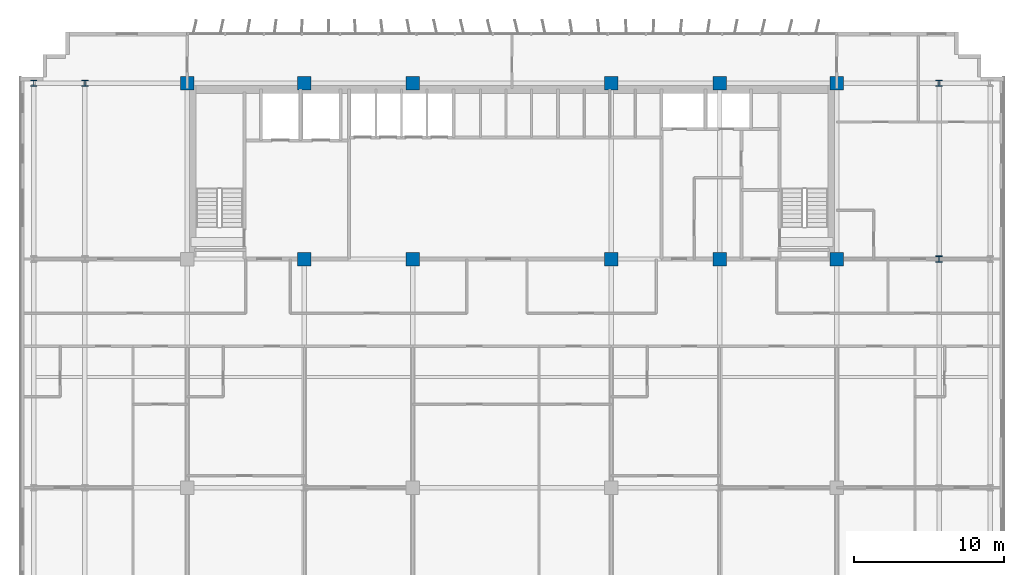
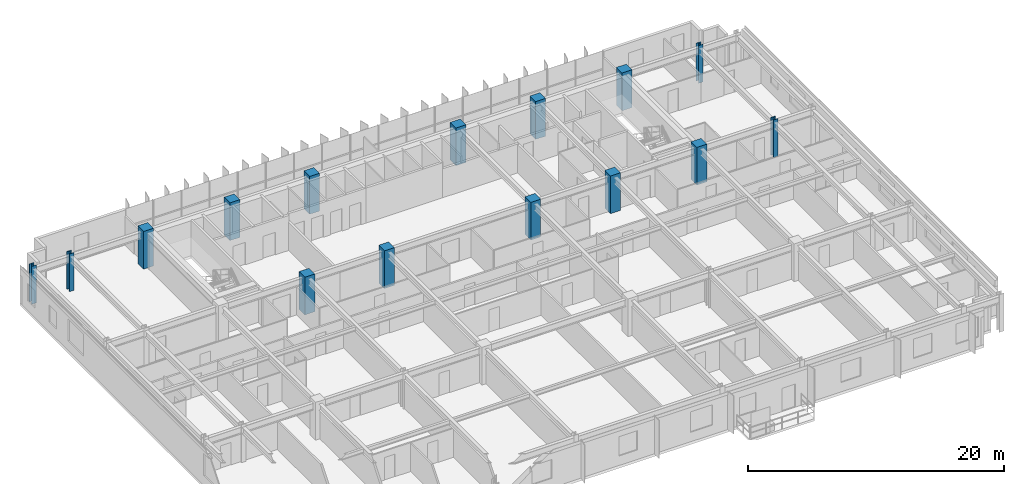
# One storey, part 2 of 22: 15 columns.
"""IFC4 building model written with IfcOpenShell, lengths in metres."""

from ifc_helpers import new_model, si_unit, direction, frame, origin, origin_2d, place, context, subcontext, project, spatial, rectangle, i_section, extrude, source, transform, mapped, material, material_profile, profile_set, type_object, element, save


model = new_model("IFC4")

# Units and contexts
model_context = context("Model", 3, precision=1e-05, world=origin(), true_north=direction((0.0, 1.0)))
body_context = subcontext(model_context, "Body", "Model", "MODEL_VIEW")
ifc_project = project(units=[si_unit("LENGTHUNIT", "METRE"), si_unit("AREAUNIT", "SQUARE_METRE"), si_unit("VOLUMEUNIT", "CUBIC_METRE"), si_unit("PLANEANGLEUNIT", "RADIAN"), si_unit("MASSUNIT", "GRAM", prefix="KILO")], contexts=[model_context])

# Site, building, storey
site_placement = place(None, origin())
site = spatial("IfcSite", under=ifc_project, at=site_placement, CompositionType="ELEMENT")
building_placement = place(site_placement, origin())
building = spatial("IfcBuilding", under=site, at=building_placement, Name="Trelvane Seafront Commons", CompositionType="ELEMENT")
storey_placement = place(building_placement, frame((0.0, 0.0, 52.300048828125)))
storey = spatial("IfcBuildingStorey", under=building, at=storey_placement, Name="L13", CompositionType="ELEMENT", Elevation=52.300048828125)

# Columns
ifc_material_1 = material(Name="Steel SM355 (S355)", Category="steel")
ifc_material_profile_1 = material_profile(ifc_material_1, i_section(OverallWidth=0.419921875, OverallDepth=0.419921875, WebThickness=0.02587890625, FlangeThickness=0.0400390625, at=origin_2d()), Name="HD-420x420x26x40")
ifc_profile_set_1 = profile_set([ifc_material_profile_1], Name="Steel SM355 (S355)")
column_type_1 = type_object("IfcColumnType", Name="STR-COL-HD420", PredefinedType="COLUMN", material=ifc_profile_set_1)
shared_shape_1 = source(origin(), body_context, "Body", "SweptSolid", [
    extrude(i_section(OverallWidth=0.419921875, OverallDepth=0.419921875, WebThickness=0.02587890625, FlangeThickness=0.0400390625, at=origin_2d()), origin(), (0.0, 0.0, 1.0), 3.599853515625),
])
for number, where, z_axis, x_axis, name in (
    (1, (5.39990234375, 45.10009765625, 0.0), (0.0, 0.0, 1.0), (1.0, 0.0, 0.0), "L13 Column TC-CN5.4"),
    (2, (8.800048828125, 45.10009765625, 0.0), (0.0, 0.0, 1.0), (1.0, 0.0, 0.0), "L13 Column TC-CN8.8"),
    (3, (65.60009765625, 33.39990234375, 0.0), (0.0, 0.0, 1.0), (1.0, 0.0, 0.0), "L13 Column TC-CS65.6"),
    (4, (65.60009765625, 45.10009765625, 0.0), (0.0, 0.0, 1.0), (1.0, 0.0, 0.0), "L13 Column TC-CN65.6"),
):
    element("IfcColumn", number, at=place(storey_placement, frame(where, z_axis=z_axis, x_axis=x_axis)), inside=storey, type_object=column_type_1, Name=name, PredefinedType="COLUMN", context=body_context, shape_type="MappedRepresentation", body=[
        mapped(shared_shape_1, transform((0.0, 0.0, 0.0), x_axis=(1.0, 0.0, 0.0), y_axis=(0.0, 1.0, 0.0), z_axis=(0.0, 0.0, 1.0), scale=1.0)),
    ])
ifc_material_2 = material(Name="Concrete C60/75", Category="concrete")
ifc_material_profile_2 = material_profile(ifc_material_2, rectangle(XDim=0.89990234375, YDim=0.89990234375, at=origin_2d()), Name="RC-900x900")
ifc_profile_set_2 = profile_set([ifc_material_profile_2], Name="Concrete C60/75")
column_type_2 = type_object("IfcColumnType", Name="STR-COL-RC900", PredefinedType="COLUMN", material=ifc_profile_set_2)
shared_shape_2 = source(origin(), body_context, "Body", "SweptSolid", [
    extrude(rectangle(XDim=0.89990234375, YDim=0.89990234375, at=origin_2d()), origin(), (0.0, 0.0, 1.0), 3.599853515625),
])
for number, where, z_axis, x_axis, name in (
    (5, (15.60009765625, 45.10009765625, 0.0), (0.0, 0.0, 1.0), (1.0, 0.0, 0.0), "L13 Column TC-CN15.6"),
    (6, (23.39990234375, 33.39990234375, 0.0), (0.0, 0.0, 1.0), (1.0, 0.0, 0.0), "L13 Column TC-CS23.4"),
    (7, (23.39990234375, 45.10009765625, 0.0), (0.0, 0.0, 1.0), (1.0, 0.0, 0.0), "L13 Column TC-CN23.4"),
    (8, (30.60009765625, 33.39990234375, 0.0), (0.0, 0.0, 1.0), (1.0, 0.0, 0.0), "L13 Column TC-CS30.6"),
    (9, (30.60009765625, 45.10009765625, 0.0), (0.0, 0.0, 1.0), (1.0, 0.0, 0.0), "L13 Column TC-CN30.6"),
    (10, (43.800048828125, 33.39990234375, 0.0), (0.0, 0.0, 1.0), (1.0, 0.0, 0.0), "L13 Column TC-CS43.8"),
    (11, (43.800048828125, 45.10009765625, 0.0), (0.0, 0.0, 1.0), (1.0, 0.0, 0.0), "L13 Column TC-CN43.8"),
    (12, (51.0, 33.39990234375, 0.0), (0.0, 0.0, 1.0), (1.0, 0.0, 0.0), "L13 Column TC-CS51.0"),
    (13, (51.0, 45.10009765625, 0.0), (0.0, 0.0, 1.0), (1.0, 0.0, 0.0), "L13 Column TC-CN51.0"),
    (14, (58.800048828125, 33.39990234375, 0.0), (0.0, 0.0, 1.0), (1.0, 0.0, 0.0), "L13 Column TC-CS58.8"),
    (15, (58.800048828125, 45.10009765625, 0.0), (0.0, 0.0, 1.0), (1.0, 0.0, 0.0), "L13 Column TC-CN58.8"),
):
    element("IfcColumn", number, at=place(storey_placement, frame(where, z_axis=z_axis, x_axis=x_axis)), inside=storey, type_object=column_type_2, Name=name, PredefinedType="COLUMN", context=body_context, shape_type="MappedRepresentation", body=[
        mapped(shared_shape_2, transform((0.0, 0.0, 0.0), x_axis=(1.0, 0.0, 0.0), y_axis=(0.0, 1.0, 0.0), z_axis=(0.0, 0.0, 1.0), scale=1.0)),
    ])

save(model, "model.ifc")
